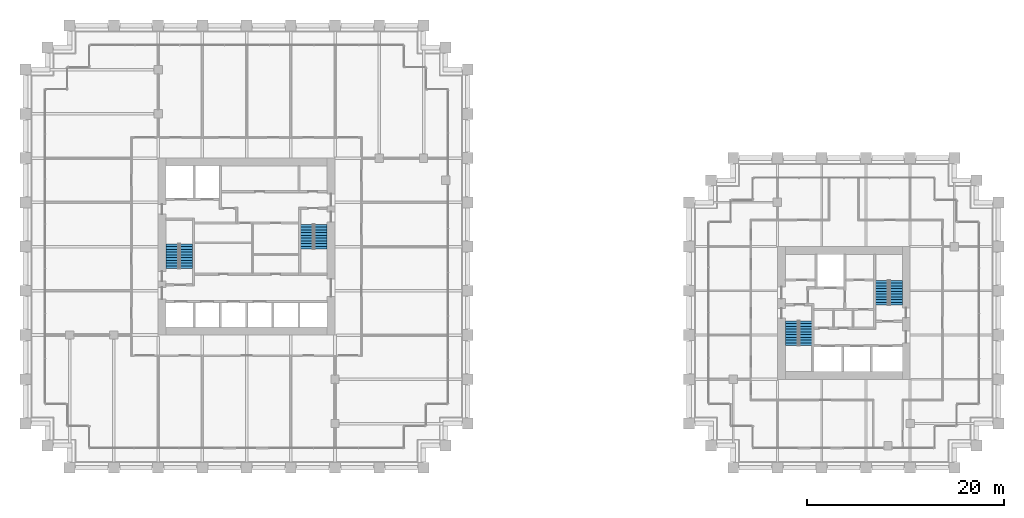
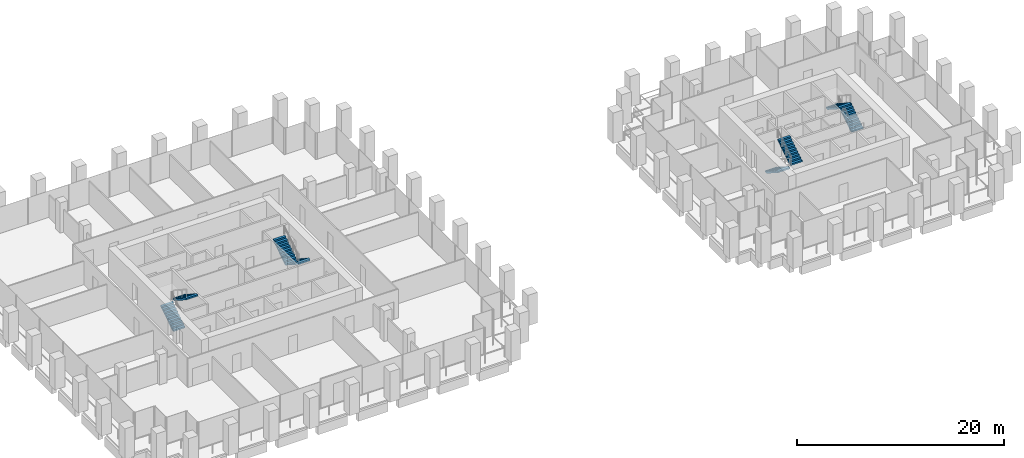
# One storey, part 53 of 55: 8 stair flights, 4 elements without a shape of their own.
"""IFC4 building model written with IfcOpenShell, lengths in metres."""

from ifc_helpers import new_model, si_unit, direction, frame, origin, place, context, subcontext, project, spatial, polyline, outline, extrude, material, type_object, element, aggregate, save


model = new_model("IFC4")

# Units and contexts
model_context = context("Model", 3, precision=1e-05, world=origin(), true_north=direction((0.0, 1.0)))
body_context = subcontext(model_context, "Body", "Model", "MODEL_VIEW")
ifc_project = project(units=[si_unit("LENGTHUNIT", "METRE"), si_unit("AREAUNIT", "SQUARE_METRE"), si_unit("VOLUMEUNIT", "CUBIC_METRE"), si_unit("PLANEANGLEUNIT", "RADIAN"), si_unit("MASSUNIT", "GRAM", prefix="KILO")], contexts=[model_context])

# Site, building, storey
site_placement = place(None, origin())
site = spatial("IfcSite", under=ifc_project, at=site_placement, CompositionType="ELEMENT")
building_placement = place(site_placement, origin())
building = spatial("IfcBuilding", under=site, at=building_placement, Name="Altepetl Exchange Towers", CompositionType="ELEMENT")
storey_placement = place(building_placement, frame((0.0, 0.0, 47.39990234375)))
storey = spatial("IfcBuildingStorey", under=building, at=storey_placement, Name="L10", CompositionType="ELEMENT", Elevation=47.39990234375)

# Stair, stair flights
ifc_material = material(Name="Concrete C40/50", Category="concrete")
stair_type = type_object("IfcStairType", Name="Exit stair 1300 flights dogleg", PredefinedType="HALF_TURN_STAIR", material=ifc_material)
stair_1_placement = place(storey_placement, origin())
stair_1 = element("IfcStair", 1, at=stair_1_placement, inside=storey, type_object=stair_type, Name="Exit stair 1", PredefinedType="HALF_TURN_STAIR")
stair_flight_type = type_object("IfcStairFlightType", Name="Stair flight 1300 wide", PredefinedType="STRAIGHT", material=ifc_material)
stair_flight_1_placement = place(storey_placement, frame((41.949951171875, 47.25, 0.0), z_axis=(0.0, 0.0, 1.0), x_axis=(0.0, 1.0, 0.0)))
stair_flight_1 = element("IfcStairFlight", 2, at=stair_flight_1_placement, type_object=stair_flight_type, Name="ST-A1c flight 1", NumberOfRisers=10, NumberOfTreads=9, PredefinedType="STRAIGHT", RiserHeight=0.18, TreadLength=0.28, context=body_context, shape_type="SweptSolid", body=[
    extrude(outline(polyline([(0.0, 0.0), (0.0, 0.179931640625), (0.280029296875, 0.179931640625), (0.280029296875, 0.360107421875), (0.56005859375, 0.360107421875), (0.56005859375, 0.5400390625), (0.840087890625, 0.5400390625), (0.840087890625, 0.719970703125), (1.1201171875, 0.719970703125), (1.1201171875, 0.89990234375), (1.39990234375, 0.89990234375), (1.39990234375, 1.080078125), (1.679931640625, 1.080078125), (1.679931640625, 1.260009765625), (1.9599609375, 1.260009765625), (1.9599609375, 1.43994140625), (2.239990234375, 1.43994140625), (2.239990234375, 1.6201171875), (2.52001953125, 1.6201171875), (2.52001953125, 1.800048828125), (2.52001953125, 1.44189453125), (0.277099609375, 0.0), (0.0, 0.0)])), frame((0.0, 0.64990234375, 0.0), z_axis=(0.0, -1.0, 0.0), x_axis=(1.0, 0.0, 0.0)), (0.0, 0.0, 1.0), 1.300048828125),
])
stair_flight_2_placement = place(storey_placement, frame((43.35009765625, 49.77001953125, 1.800048828125), z_axis=(0.0, 0.0, 1.0), x_axis=(0.0, -1.0, 0.0)))
stair_flight_2 = element("IfcStairFlight", 3, at=stair_flight_2_placement, type_object=stair_flight_type, Name="ST-A1c flight 2", NumberOfRisers=10, NumberOfTreads=9, PredefinedType="STRAIGHT", RiserHeight=0.18, TreadLength=0.28, context=body_context, shape_type="SweptSolid", body=[
    extrude(outline(polyline([(0.0, 0.0), (0.0, 0.179931640625), (0.280029296875, 0.179931640625), (0.280029296875, 0.360107421875), (0.56005859375, 0.360107421875), (0.56005859375, 0.5400390625), (0.840087890625, 0.5400390625), (0.840087890625, 0.719970703125), (1.1201171875, 0.719970703125), (1.1201171875, 0.89990234375), (1.39990234375, 0.89990234375), (1.39990234375, 1.080078125), (1.679931640625, 1.080078125), (1.679931640625, 1.260009765625), (1.9599609375, 1.260009765625), (1.9599609375, 1.43994140625), (2.239990234375, 1.43994140625), (2.239990234375, 1.6201171875), (2.52001953125, 1.6201171875), (2.52001953125, 1.800048828125), (2.52001953125, 1.44189453125), (0.277099609375, 0.0), (0.0, 0.0)])), frame((0.0, 0.64990234375, 0.0), z_axis=(0.0, -1.0, 0.0), x_axis=(1.0, 0.0, 0.0)), (0.0, 0.0, 1.0), 1.300048828125),
])
aggregate(stair_1, [stair_flight_1, stair_flight_2])

stair_2_placement = place(storey_placement, origin())
stair_2 = element("IfcStair", 4, at=stair_2_placement, inside=storey, type_object=stair_type, Name="Exit stair 2", PredefinedType="HALF_TURN_STAIR")
stair_flight_3_placement = place(storey_placement, frame((57.050048828125, 51.75, 0.0), z_axis=(0.0, 0.0, 1.0), x_axis=(0.0, -1.0, 0.0)))
stair_flight_3 = element("IfcStairFlight", 5, at=stair_flight_3_placement, type_object=stair_flight_type, Name="ST-A2c flight 1", NumberOfRisers=10, NumberOfTreads=9, PredefinedType="STRAIGHT", RiserHeight=0.18, TreadLength=0.28, context=body_context, shape_type="SweptSolid", body=[
    extrude(outline(polyline([(0.0, 0.0), (0.0, 0.179931640625), (0.280029296875, 0.179931640625), (0.280029296875, 0.360107421875), (0.56005859375, 0.360107421875), (0.56005859375, 0.5400390625), (0.840087890625, 0.5400390625), (0.840087890625, 0.719970703125), (1.1201171875, 0.719970703125), (1.1201171875, 0.89990234375), (1.39990234375, 0.89990234375), (1.39990234375, 1.080078125), (1.679931640625, 1.080078125), (1.679931640625, 1.260009765625), (1.9599609375, 1.260009765625), (1.9599609375, 1.43994140625), (2.239990234375, 1.43994140625), (2.239990234375, 1.6201171875), (2.52001953125, 1.6201171875), (2.52001953125, 1.800048828125), (2.52001953125, 1.44189453125), (0.277099609375, 0.0), (0.0, 0.0)])), frame((0.0, 0.64990234375, 0.0), z_axis=(0.0, -1.0, 0.0), x_axis=(1.0, 0.0, 0.0)), (0.0, 0.0, 1.0), 1.300048828125),
])
stair_flight_4_placement = place(storey_placement, frame((55.64990234375, 49.22998046875, 1.800048828125), z_axis=(0.0, 0.0, 1.0), x_axis=(0.0, 1.0, 0.0)))
stair_flight_4 = element("IfcStairFlight", 6, at=stair_flight_4_placement, type_object=stair_flight_type, Name="ST-A2c flight 2", NumberOfRisers=10, NumberOfTreads=9, PredefinedType="STRAIGHT", RiserHeight=0.18, TreadLength=0.28, context=body_context, shape_type="SweptSolid", body=[
    extrude(outline(polyline([(0.0, 0.0), (0.0, 0.179931640625), (0.280029296875, 0.179931640625), (0.280029296875, 0.360107421875), (0.56005859375, 0.360107421875), (0.56005859375, 0.5400390625), (0.840087890625, 0.5400390625), (0.840087890625, 0.719970703125), (1.1201171875, 0.719970703125), (1.1201171875, 0.89990234375), (1.39990234375, 0.89990234375), (1.39990234375, 1.080078125), (1.679931640625, 1.080078125), (1.679931640625, 1.260009765625), (1.9599609375, 1.260009765625), (1.9599609375, 1.43994140625), (2.239990234375, 1.43994140625), (2.239990234375, 1.6201171875), (2.52001953125, 1.6201171875), (2.52001953125, 1.800048828125), (2.52001953125, 1.44189453125), (0.277099609375, 0.0), (0.0, 0.0)])), frame((0.0, 0.64990234375, 0.0), z_axis=(0.0, -1.0, 0.0), x_axis=(1.0, 0.0, 0.0)), (0.0, 0.0, 1.0), 1.300048828125),
])
aggregate(stair_2, [stair_flight_3, stair_flight_4])

stair_3_placement = place(storey_placement, origin())
stair_3 = element("IfcStair", 7, at=stair_3_placement, inside=storey, type_object=stair_type, Name="Exit stair 1", PredefinedType="HALF_TURN_STAIR")
stair_flight_5_placement = place(storey_placement, frame((104.949951171875, 41.949951171875, 0.0), z_axis=(0.0, 0.0, 1.0), x_axis=(0.0, -1.0, 0.0)))
stair_flight_5 = element("IfcStairFlight", 8, at=stair_flight_5_placement, type_object=stair_flight_type, Name="ST-B1c flight 1", NumberOfRisers=10, NumberOfTreads=9, PredefinedType="STRAIGHT", RiserHeight=0.18, TreadLength=0.28, context=body_context, shape_type="SweptSolid", body=[
    extrude(outline(polyline([(0.0, 0.0), (0.0, 0.179931640625), (0.280029296875, 0.179931640625), (0.280029296875, 0.360107421875), (0.56005859375, 0.360107421875), (0.56005859375, 0.5400390625), (0.840087890625, 0.5400390625), (0.840087890625, 0.719970703125), (1.1201171875, 0.719970703125), (1.1201171875, 0.89990234375), (1.39990234375, 0.89990234375), (1.39990234375, 1.080078125), (1.679931640625, 1.080078125), (1.679931640625, 1.260009765625), (1.9599609375, 1.260009765625), (1.9599609375, 1.43994140625), (2.239990234375, 1.43994140625), (2.239990234375, 1.6201171875), (2.52001953125, 1.6201171875), (2.52001953125, 1.800048828125), (2.52001953125, 1.44189453125), (0.277099609375, 0.0), (0.0, 0.0)])), frame((0.0, 0.64990234375, 0.0), z_axis=(0.0, -1.0, 0.0), x_axis=(1.0, 0.0, 0.0)), (0.0, 0.0, 1.0), 1.300048828125),
])
stair_flight_6_placement = place(storey_placement, frame((106.35009765625, 39.429931640625, 1.800048828125), z_axis=(0.0, 0.0, 1.0), x_axis=(0.0, 1.0, 0.0)))
stair_flight_6 = element("IfcStairFlight", 9, at=stair_flight_6_placement, type_object=stair_flight_type, Name="ST-B1c flight 2", NumberOfRisers=10, NumberOfTreads=9, PredefinedType="STRAIGHT", RiserHeight=0.18, TreadLength=0.28, context=body_context, shape_type="SweptSolid", body=[
    extrude(outline(polyline([(0.0, 0.0), (0.0, 0.179931640625), (0.280029296875, 0.179931640625), (0.280029296875, 0.360107421875), (0.56005859375, 0.360107421875), (0.56005859375, 0.5400390625), (0.840087890625, 0.5400390625), (0.840087890625, 0.719970703125), (1.1201171875, 0.719970703125), (1.1201171875, 0.89990234375), (1.39990234375, 0.89990234375), (1.39990234375, 1.080078125), (1.679931640625, 1.080078125), (1.679931640625, 1.260009765625), (1.9599609375, 1.260009765625), (1.9599609375, 1.43994140625), (2.239990234375, 1.43994140625), (2.239990234375, 1.6201171875), (2.52001953125, 1.6201171875), (2.52001953125, 1.800048828125), (2.52001953125, 1.44189453125), (0.277099609375, 0.0), (0.0, 0.0)])), frame((0.0, 0.64990234375, 0.0), z_axis=(0.0, -1.0, 0.0), x_axis=(1.0, 0.0, 0.0)), (0.0, 0.0, 1.0), 1.300048828125),
])
aggregate(stair_3, [stair_flight_5, stair_flight_6])

stair_4_placement = place(storey_placement, origin())
stair_4 = element("IfcStair", 10, at=stair_4_placement, inside=storey, type_object=stair_type, Name="Exit stair 2", PredefinedType="HALF_TURN_STAIR")
stair_flight_7_placement = place(storey_placement, frame((115.550048828125, 43.550048828125, 0.0), z_axis=(0.0, 0.0, 1.0), x_axis=(0.0, 1.0, 0.0)))
stair_flight_7 = element("IfcStairFlight", 11, at=stair_flight_7_placement, type_object=stair_flight_type, Name="ST-B2c flight 1", NumberOfRisers=10, NumberOfTreads=9, PredefinedType="STRAIGHT", RiserHeight=0.18, TreadLength=0.28, context=body_context, shape_type="SweptSolid", body=[
    extrude(outline(polyline([(0.0, 0.0), (0.0, 0.179931640625), (0.280029296875, 0.179931640625), (0.280029296875, 0.360107421875), (0.56005859375, 0.360107421875), (0.56005859375, 0.5400390625), (0.840087890625, 0.5400390625), (0.840087890625, 0.719970703125), (1.1201171875, 0.719970703125), (1.1201171875, 0.89990234375), (1.39990234375, 0.89990234375), (1.39990234375, 1.080078125), (1.679931640625, 1.080078125), (1.679931640625, 1.260009765625), (1.9599609375, 1.260009765625), (1.9599609375, 1.43994140625), (2.239990234375, 1.43994140625), (2.239990234375, 1.6201171875), (2.52001953125, 1.6201171875), (2.52001953125, 1.800048828125), (2.52001953125, 1.44189453125), (0.277099609375, 0.0), (0.0, 0.0)])), frame((0.0, 0.64990234375, 0.0), z_axis=(0.0, -1.0, 0.0), x_axis=(1.0, 0.0, 0.0)), (0.0, 0.0, 1.0), 1.300048828125),
])
stair_flight_8_placement = place(storey_placement, frame((114.14990234375, 46.070068359375, 1.800048828125), z_axis=(0.0, 0.0, 1.0), x_axis=(0.0, -1.0, 0.0)))
stair_flight_8 = element("IfcStairFlight", 12, at=stair_flight_8_placement, type_object=stair_flight_type, Name="ST-B2c flight 2", NumberOfRisers=10, NumberOfTreads=9, PredefinedType="STRAIGHT", RiserHeight=0.18, TreadLength=0.28, context=body_context, shape_type="SweptSolid", body=[
    extrude(outline(polyline([(0.0, 0.0), (0.0, 0.179931640625), (0.280029296875, 0.179931640625), (0.280029296875, 0.360107421875), (0.56005859375, 0.360107421875), (0.56005859375, 0.5400390625), (0.840087890625, 0.5400390625), (0.840087890625, 0.719970703125), (1.1201171875, 0.719970703125), (1.1201171875, 0.89990234375), (1.39990234375, 0.89990234375), (1.39990234375, 1.080078125), (1.679931640625, 1.080078125), (1.679931640625, 1.260009765625), (1.9599609375, 1.260009765625), (1.9599609375, 1.43994140625), (2.239990234375, 1.43994140625), (2.239990234375, 1.6201171875), (2.52001953125, 1.6201171875), (2.52001953125, 1.800048828125), (2.52001953125, 1.44189453125), (0.277099609375, 0.0), (0.0, 0.0)])), frame((0.0, 0.64990234375, 0.0), z_axis=(0.0, -1.0, 0.0), x_axis=(1.0, 0.0, 0.0)), (0.0, 0.0, 1.0), 1.300048828125),
])
aggregate(stair_4, [stair_flight_7, stair_flight_8])

save(model, "model.ifc")
